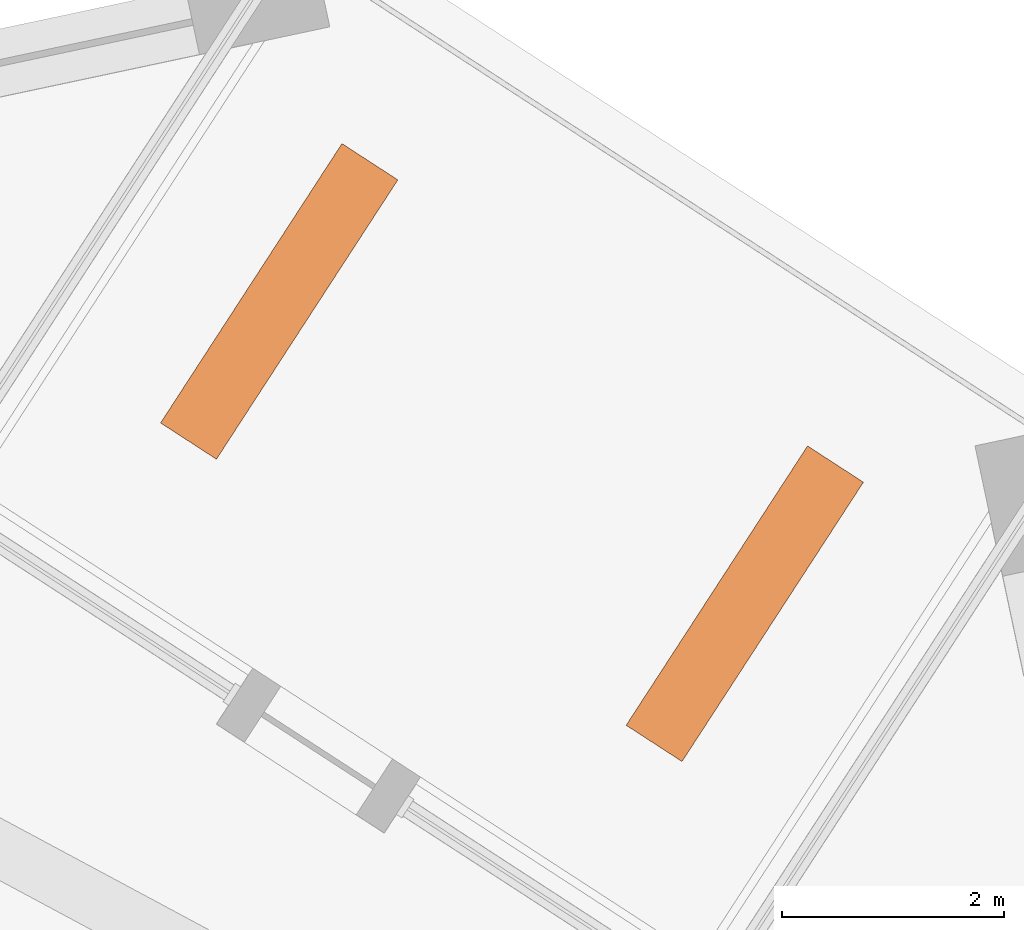
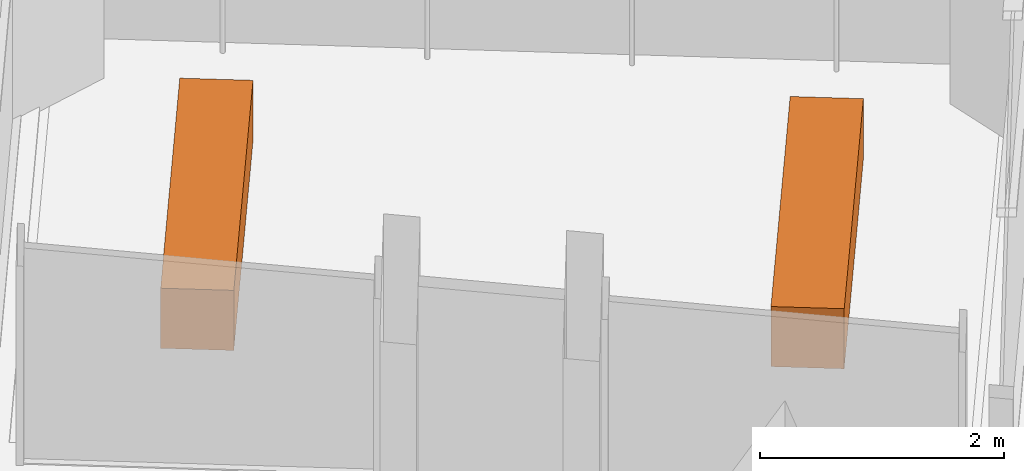
# One storey, part 10 of 10: 2 proxies.
"""IFC4 building model written with IfcOpenShell, lengths in metres."""

from ifc_helpers import new_model, si_unit, direction, frame, origin, origin_2d, place, context, subcontext, project, spatial, rectangle, extrude, element, save


model = new_model("IFC4")

# Units and contexts
model_context = context("Model", 3, precision=1e-05, world=origin(), true_north=direction((0.0, 1.0)))
body_context = subcontext(model_context, "Body", "Model", "MODEL_VIEW")
ifc_project = project(units=[si_unit("LENGTHUNIT", "METRE"), si_unit("AREAUNIT", "SQUARE_METRE"), si_unit("VOLUMEUNIT", "CUBIC_METRE"), si_unit("PLANEANGLEUNIT", "RADIAN"), si_unit("MASSUNIT", "GRAM", prefix="KILO")], contexts=[model_context])

# Site, building, storey
site_placement = place(None, origin())
site = spatial("IfcSite", under=ifc_project, at=site_placement, CompositionType="ELEMENT")
building_placement = place(site_placement, origin())
building = spatial("IfcBuilding", under=site, at=building_placement, Name="Dilmun Exchange Tower", CompositionType="ELEMENT")
storey_placement = place(building_placement, frame((0.0, 0.0, 72.300048828125)))
storey = spatial("IfcBuildingStorey", under=building, at=storey_placement, Name="L16", CompositionType="ELEMENT", Elevation=72.300048828125)

# Proxies
for number, where, z_axis, x_axis, name in (
    (1, (21.58984375, 28.6552734375, 0.0), (0.0, 0.0, 1.0), (0.544639035015, 0.838670567945, 0.0), "PLANTER Date palm L16.1"),
    (2, (17.396484375, 31.37841796875, 0.0), (0.0, 0.0, 1.0), (0.544639035015, 0.838670567945, 0.0), "PLANTER Date palm L16.2"),
):
    element("IfcBuildingElementProxy", number, at=place(storey_placement, frame(where, z_axis=z_axis, x_axis=x_axis)), inside=storey, Name=name, ObjectType="PLANTER", PredefinedType="USERDEFINED", context=body_context, shape_type="SweptSolid", body=[
        extrude(rectangle(XDim=3.0, YDim=0.60009765625, at=origin_2d()), origin(), (0.0, 0.0, 1.0), 0.60009765625),
    ])

save(model, "model.ifc")
